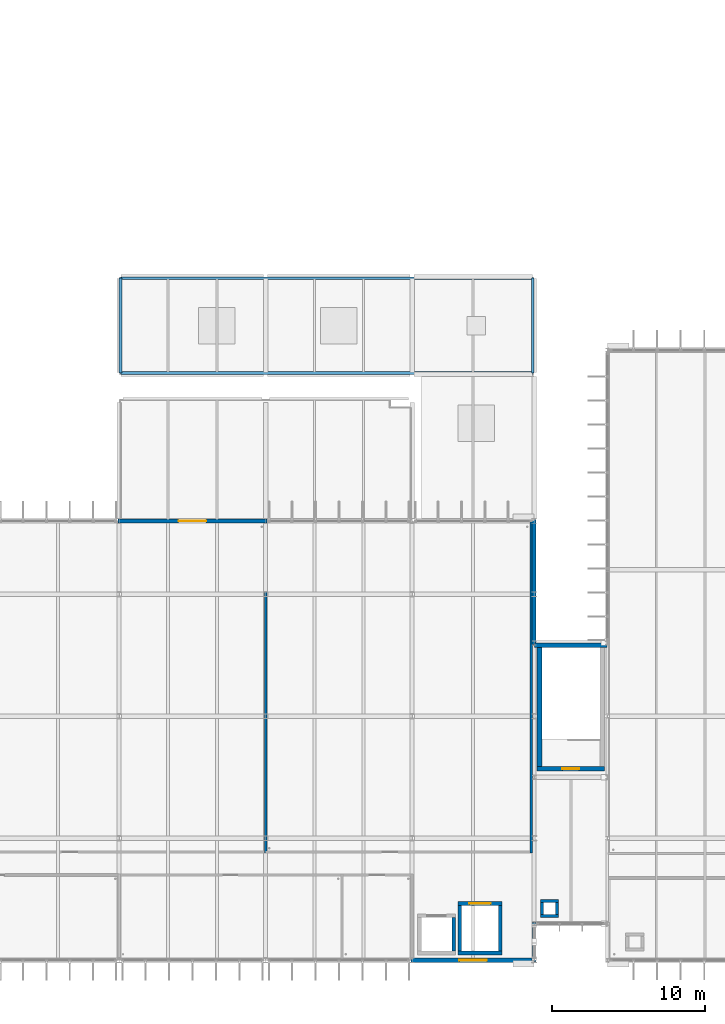
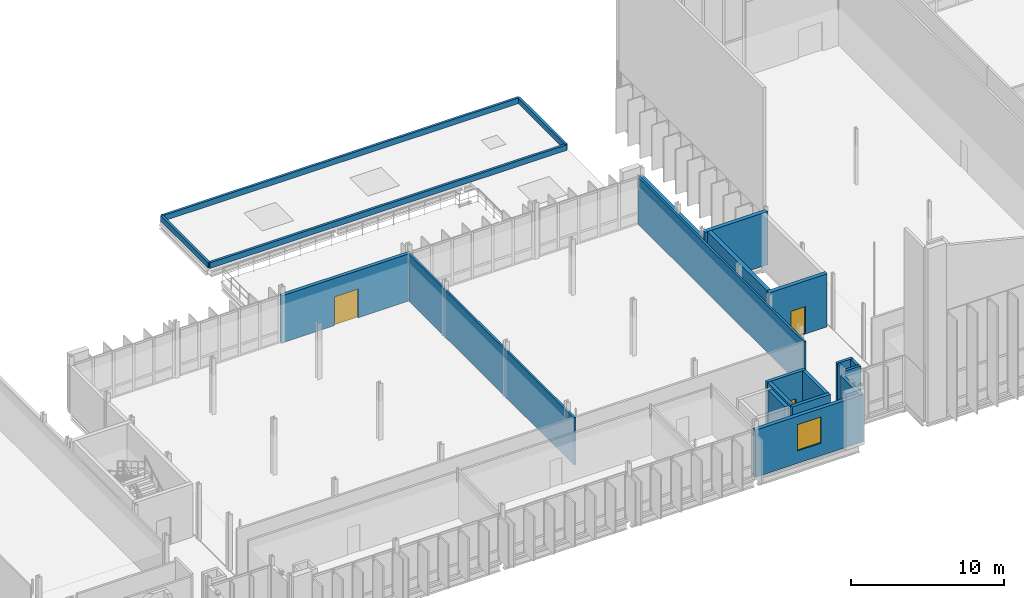
# One storey, part 65 of 110: 22 walls, 3 doors, 1 window, 4 openings.
"""IFC4 building model written with IfcOpenShell, lengths in metres."""

from ifc_helpers import new_model, si_unit, direction, frame, frame_2d, origin, place, context, subcontext, project, spatial, rectangle, extrude, material, layer, layer_set, type_object, element, fill, save


model = new_model("IFC4")

# Units and contexts
model_context = context("Model", 3, precision=1e-05, world=origin(), true_north=direction((0.0, 1.0)))
body_context = subcontext(model_context, "Body", "Model", "MODEL_VIEW")
ifc_project = project(units=[si_unit("LENGTHUNIT", "METRE"), si_unit("AREAUNIT", "SQUARE_METRE"), si_unit("VOLUMEUNIT", "CUBIC_METRE"), si_unit("PLANEANGLEUNIT", "RADIAN"), si_unit("MASSUNIT", "GRAM", prefix="KILO")], contexts=[model_context])

# Site, building, storey
site_placement = place(None, origin())
site = spatial("IfcSite", under=ifc_project, at=site_placement, CompositionType="ELEMENT")
building_placement = place(site_placement, origin())
building = spatial("IfcBuilding", under=site, at=building_placement, Name="Dunescarp Central Library", CompositionType="ELEMENT")
storey_placement = place(building_placement, frame((0.0, 0.0, 9.60009765625)))
storey = spatial("IfcBuildingStorey", under=building, at=storey_placement, Name="L02", CompositionType="ELEMENT", Elevation=9.60009765625)

# Walls
ifc_material_1 = material(Name="Gypsum plasterboard acoustic partition")
ifc_layer_1 = layer(ifc_material_1, 0.14990234375)
ifc_layer_set_1 = layer_set([ifc_layer_1], Name="Gypsum plasterboard acoustic partition")
wall_type_1 = type_object("IfcWallType", Name="ARC-PT-AC150", PredefinedType="PARTITIONING", material=ifc_layer_set_1)
for number, where, z_axis, x_axis, name in (
    (1, (107.199951171875, 11.824951171875, 0.0), (0.0, 0.0, 1.0), (0.0, 1.0, 0.0), "L02 partition PT-L02-0287"),
    (2, (124.60009765625, 11.824951171875, 0.0), (0.0, 0.0, 1.0), (0.0, 1.0, 0.0), "L02 partition PT-L02-0289"),
):
    element("IfcWall", number, at=place(storey_placement, frame(where, z_axis=z_axis, x_axis=x_axis)), inside=storey, type_object=wall_type_1, Name=name, PredefinedType="PARTITIONING", context=body_context, shape_type="SweptSolid", body=[
        extrude(rectangle(XDim=21.735107421875, YDim=0.14990234375, at=frame_2d((10.86767578125, 0.0))), origin(), (0.0, 0.0, 1.0), 3.77490234375),
    ])

# Wall, opening, door
ifc_material_2 = material(Name="Glass-fibre reinforced concrete GRC", Category="concrete")
ifc_layer_2 = layer(ifc_material_2, 0.260009765625)
ifc_layer_set_2 = layer_set([ifc_layer_2], Name="Glass-fibre reinforced concrete GRC")
wall_type_2 = type_object("IfcWallType", Name="ARC-WL-GRC260", PredefinedType="SOLIDWALL", material=ifc_layer_set_2)
wall_1_placement = place(storey_placement, frame((97.514892578125, 33.60009765625, 0.0), z_axis=(0.0, 0.0, 1.0), x_axis=(1.0, 0.0, 0.0)))
wall_1 = element("IfcWall", 3, at=wall_1_placement, inside=storey, type_object=wall_type_2, Name="L02 external wall EW-V3-077", PredefinedType="SOLIDWALL", context=body_context, shape_type="SweptSolid", body=[
    extrude(rectangle(XDim=9.77001953125, YDim=0.260009765625, at=frame_2d((4.885009765625, 0.0))), origin(), (0.0, 0.0, 1.0), 3.77490234375),
])
opening_1_placement = place(wall_1_placement, frame((3.985107421875, 0.0, 0.0)))
opening_1 = element("IfcOpeningElement", 4, at=opening_1_placement, cuts=wall_1, Name="Opening TD-L02-V3D", PredefinedType="OPENING", context=body_context, shape_type="SweptSolid", body=[
    extrude(rectangle(XDim=1.800048828125, YDim=2.300048828125, at=frame_2d((0.89990234375, 1.14990234375))), frame((0.0, 0.14013671875, 0.0), z_axis=(0.0, -1.0, 0.0), x_axis=(1.0, 0.0, 0.0)), (0.0, 0.0, 1.0), 0.280029296875),
])
ifc_material_3 = material(Name="Marine-grade anodised aluminium 6063-T6", Category="aluminium")
door_type_1 = type_object("IfcDoorType", Name="ARC-DR-TER1800", OperationType="NOTDEFINED", PredefinedType="DOOR", material=ifc_material_3)
door_1_placement = place(opening_1_placement, origin())
door_1 = element("IfcDoor", 5, at=door_1_placement, inside=storey, type_object=door_type_1, Name="L02 external door TD-L02-V3D", OperationType="SINGLE_SWING_RIGHT", OverallHeight=2.300048828125, OverallWidth=1.800048828125, PredefinedType="DOOR", context=body_context, shape_type="SweptSolid", body=[
    extrude(rectangle(XDim=1.800048828125, YDim=2.300048828125, at=frame_2d((0.89990234375, 1.14990234375))), frame((0.0, 0.02490234375, 0.0), z_axis=(0.0, -1.0, 0.0), x_axis=(1.0, 0.0, 0.0)), (0.0, 0.0, 1.0), 0.050048828125),
])
fill(opening_1, door_1)

# Walls
wall_2_placement = place(storey_placement, frame((124.800048828125, 7.284912109375, 0.0), z_axis=(0.0, 0.0, 1.0), x_axis=(0.0, -1.0, 0.0)))
element("IfcWall", 6, at=wall_2_placement, inside=storey, type_object=wall_type_2, Name="L02 external wall EW-V3-080", PredefinedType="SOLIDWALL", context=body_context, shape_type="SweptSolid", body=[
    extrude(rectangle(XDim=2.56982421875, YDim=0.260009765625, at=frame_2d((1.284912109375, 0.0))), origin(), (0.0, 0.0, 1.0), 3.77490234375),
])
wall_3_placement = place(storey_placement, frame((124.800048828125, 33.68505859375, 0.0), z_axis=(0.0, 0.0, 1.0), x_axis=(0.0, -1.0, 0.0)))
element("IfcWall", 7, at=wall_3_placement, inside=storey, type_object=wall_type_2, Name="L02 external wall EW-V3-081", PredefinedType="SOLIDWALL", context=body_context, shape_type="SweptSolid", body=[
    extrude(rectangle(XDim=8.170166015625, YDim=0.260009765625, at=frame_2d((4.0849609375, 0.0))), origin(), (0.0, 0.0, 1.0), 3.77490234375),
])

# Wall, opening, window
ifc_layer_3 = layer(ifc_material_2, 0.280029296875)
ifc_layer_set_3 = layer_set([ifc_layer_3], Name="Glass-fibre reinforced concrete GRC")
wall_type_3 = type_object("IfcWallType", Name="ARC-WL-GRC280", PredefinedType="SOLIDWALL", material=ifc_layer_set_3)
wall_4_placement = place(storey_placement, frame((124.885009765625, 4.800048828125, 0.0), z_axis=(0.0, 0.0, 1.0), x_axis=(-1.0, 0.0, 0.0)))
wall_4 = element("IfcWall", 8, at=wall_4_placement, inside=storey, type_object=wall_type_3, Name="L02 external wall EW-V3-076", PredefinedType="SOLIDWALL", context=body_context, shape_type="SweptSolid", body=[
    extrude(rectangle(XDim=8.169921875, YDim=0.280029296875, at=frame_2d((4.0849609375, 0.0))), origin(), (0.0, 0.0, 1.0), 3.77490234375),
])
opening_2_placement = place(wall_4_placement, frame((3.18505859375, 0.0, 1.0)))
opening_2 = element("IfcOpeningElement", 9, at=opening_2_placement, cuts=wall_4, Name="Opening WN-016", PredefinedType="OPENING", context=body_context, shape_type="SweptSolid", body=[
    extrude(rectangle(XDim=1.800048828125, YDim=2.10009765625, at=frame_2d((0.89990234375, 1.050048828125))), frame((0.0, 0.14990234375, 0.0), z_axis=(0.0, -1.0, 0.0), x_axis=(1.0, 0.0, 0.0)), (0.0, 0.0, 1.0), 0.300048828125),
])
ifc_material_4 = material(Name="Solar-control laminated double glazing", Category="glass")
window_type = type_object("IfcWindowType", Name="ARC-WN-1800X2100", PartitioningType="SINGLE_PANEL", PredefinedType="WINDOW", material=ifc_material_4)
window_placement = place(opening_2_placement, origin())
window = element("IfcWindow", 10, at=window_placement, inside=storey, type_object=window_type, Name="L02 window WN-016", OverallHeight=2.10009765625, OverallWidth=1.800048828125, PartitioningType="SINGLE_PANEL", PredefinedType="WINDOW", context=body_context, shape_type="SweptSolid", body=[
    extrude(rectangle(XDim=1.800048828125, YDim=2.10009765625, at=frame_2d((0.89990234375, 1.050048828125))), frame((0.0, 0.030029296875, 0.0), z_axis=(0.0, -1.0, 0.0), x_axis=(1.0, 0.0, 0.0)), (0.0, 0.0, 1.0), 0.06005859375),
])
fill(opening_2, window)

# Walls
ifc_material_5 = material(Name="Concrete C35/45", Category="concrete")
ifc_layer_4 = layer(ifc_material_5, 0.179931640625)
ifc_layer_set_4 = layer_set([ifc_layer_4], Name="Concrete C35/45")
wall_type_4 = type_object("IfcWallType", Name="ARC-WL-PAR180", PredefinedType="PARAPET", material=ifc_layer_set_4)
for number, where, z_axis, x_axis, name in (
    (11, (124.7099609375, 43.2900390625, 0.0), (0.0, 0.0, 1.0), (-1.0, 0.0, 0.0), "L02 maintenance roof parapet PAR-L02-013"),
    (12, (97.68994140625, 49.510009765625, 0.0), (0.0, 0.0, 1.0), (1.0, 0.0, 0.0), "L02 maintenance roof parapet PAR-L02-014"),
):
    element("IfcWall", number, at=place(storey_placement, frame(where, z_axis=z_axis, x_axis=x_axis)), inside=storey, type_object=wall_type_4, Name=name, PredefinedType="PARAPET", context=body_context, shape_type="SweptSolid", body=[
        extrude(rectangle(XDim=27.02001953125, YDim=0.179931640625, at=frame_2d((13.510009765625, 0.0))), origin(), (0.0, 0.0, 1.0), 0.449951171875),
    ])
for number, where, z_axis, x_axis, name in (
    (13, (97.68994140625, 43.2900390625, 0.0), (0.0, 0.0, 1.0), (0.0, 1.0, 0.0), "L02 maintenance roof parapet PAR-L02-015"),
    (14, (124.7099609375, 49.510009765625, 0.0), (0.0, 0.0, 1.0), (0.0, -1.0, 0.0), "L02 maintenance roof parapet PAR-L02-016"),
):
    element("IfcWall", number, at=place(storey_placement, frame(where, z_axis=z_axis, x_axis=x_axis)), inside=storey, type_object=wall_type_4, Name=name, PredefinedType="PARAPET", context=body_context, shape_type="SweptSolid", body=[
        extrude(rectangle(XDim=6.219970703125, YDim=0.179931640625, at=frame_2d((3.10986328125, 0.0))), origin(), (0.0, 0.0, 1.0), 0.449951171875),
    ])
ifc_layer_5 = layer(ifc_material_5, 0.199951171875)
ifc_layer_set_5 = layer_set([ifc_layer_5], Name="Concrete C35/45")
wall_type_5 = type_object("IfcWallType", Name="ARC-WL-RISER200", PredefinedType="PARTITIONING", material=ifc_layer_set_5)
for number, where, z_axis, x_axis, name in (
    (15, (126.39990234375, 7.699951171875, 0.0), (0.0, 0.0, 1.0), (-1.0, 0.0, 0.0), "L02 GL3 duct shaft wall S"),
    (16, (125.199951171875, 8.699951171875, 0.0), (0.0, 0.0, 1.0), (1.0, 0.0, 0.0), "L02 GL3 duct shaft wall N"),
):
    element("IfcWall", number, at=place(storey_placement, frame(where, z_axis=z_axis, x_axis=x_axis)), inside=storey, type_object=wall_type_5, Name=name, PredefinedType="PARTITIONING", context=body_context, shape_type="SweptSolid", body=[
        extrude(rectangle(XDim=1.199951171875, YDim=0.199951171875, at=frame_2d((0.60009765625, 0.0))), origin(), (0.0, 0.0, 1.0), 3.7548828125),
    ])
for number, where, z_axis, x_axis, name in (
    (17, (125.300048828125, 7.820068359375, 0.0), (0.0, 0.0, 1.0), (0.0, 1.0, 0.0), "L02 GL3 duct shaft wall W"),
    (18, (126.300048828125, 8.580078125, 0.0), (0.0, 0.0, 1.0), (0.0, -1.0, 0.0), "L02 GL3 duct shaft wall E"),
):
    element("IfcWall", number, at=place(storey_placement, frame(where, z_axis=z_axis, x_axis=x_axis)), inside=storey, type_object=wall_type_5, Name=name, PredefinedType="PARTITIONING", context=body_context, shape_type="SweptSolid", body=[
        extrude(rectangle(XDim=0.760009765625, YDim=0.199951171875, at=frame_2d((0.3798828125, 0.0))), origin(), (0.0, 0.0, 1.0), 3.7548828125),
    ])
ifc_material_6 = material(Name="Concrete C40/50", Category="concrete")
ifc_layer_6 = layer(ifc_material_6, 0.25)
ifc_layer_set_6 = layer_set([ifc_layer_6], Name="Concrete C40/50")
wall_type_6 = type_object("IfcWallType", Name="STR-WL-CORE250", PredefinedType="SHEAR", material=ifc_layer_set_6)
wall_5_placement = place(storey_placement, frame((119.52490234375, 7.60009765625, 0.0), z_axis=(0.0, 0.0, 1.0), x_axis=(0.0, -1.0, 0.0)))
element("IfcWall", 19, at=wall_5_placement, inside=storey, type_object=wall_type_6, Name="L02 PL-3 lift shaft wall E", PredefinedType="SHEAR", context=body_context, shape_type="SweptSolid", body=[
    extrude(rectangle(XDim=2.2001953125, YDim=0.25, at=frame_2d((1.10009765625, 0.0))), origin(), (0.0, 0.0, 1.0), 4.260009765625),
])
wall_6_placement = place(storey_placement, frame((122.699951171875, 5.27490234375, 0.0), z_axis=(0.0, 0.0, 1.0), x_axis=(-1.0, 0.0, 0.0)))
element("IfcWall", 20, at=wall_6_placement, inside=storey, type_object=wall_type_6, Name="L02 BL-1 lift shaft wall S", PredefinedType="SHEAR", context=body_context, shape_type="SweptSolid", body=[
    extrude(rectangle(XDim=2.89990234375, YDim=0.25, at=frame_2d((1.449951171875, 0.0))), origin(), (0.0, 0.0, 1.0), 4.260009765625),
])

# Wall, opening, door
wall_7_placement = place(storey_placement, frame((119.800048828125, 8.52490234375, 0.0), z_axis=(0.0, 0.0, 1.0), x_axis=(1.0, 0.0, 0.0)))
wall_7 = element("IfcWall", 21, at=wall_7_placement, inside=storey, type_object=wall_type_6, Name="L02 BL-1 lift shaft wall N", PredefinedType="SHEAR", context=body_context, shape_type="SweptSolid", body=[
    extrude(rectangle(XDim=2.89990234375, YDim=0.25, at=frame_2d((1.449951171875, 0.0))), origin(), (0.0, 0.0, 1.0), 4.260009765625),
])
opening_3_placement = place(wall_7_placement, frame((0.75, 0.0, 0.0)))
opening_3 = element("IfcOpeningElement", 22, at=opening_3_placement, cuts=wall_7, Name="Opening LD-BL-1-L02", PredefinedType="OPENING", context=body_context, shape_type="SweptSolid", body=[
    extrude(rectangle(XDim=1.39990234375, YDim=2.199951171875, at=frame_2d((0.699951171875, 1.10009765625))), frame((0.0, 0.135009765625, 0.0), z_axis=(0.0, -1.0, 0.0), x_axis=(1.0, 0.0, 0.0)), (0.0, 0.0, 1.0), 0.27001953125),
])
ifc_material_7 = material(Name="Stainless steel Grade 316L", Category="steel")
door_type_2 = type_object("IfcDoorType", Name="ARC-DR-LD1400", OperationType="DOUBLE_DOOR_SLIDING", PredefinedType="DOOR", material=ifc_material_7)
door_2_placement = place(opening_3_placement, origin())
door_2 = element("IfcDoor", 23, at=door_2_placement, inside=storey, type_object=door_type_2, Name="L02 BL-1 lift landing door", OperationType="DOUBLE_DOOR_SLIDING", OverallHeight=2.199951171875, OverallWidth=1.39990234375, PredefinedType="DOOR", context=body_context, shape_type="SweptSolid", body=[
    extrude(rectangle(XDim=1.39990234375, YDim=2.199951171875, at=frame_2d((0.699951171875, 1.10009765625))), frame((0.0, 0.02490234375, 0.0), z_axis=(0.0, -1.0, 0.0), x_axis=(1.0, 0.0, 0.0)), (0.0, 0.0, 1.0), 0.050048828125),
])
fill(opening_3, door_2)

# Walls
for number, where, z_axis, x_axis, name in (
    (24, (119.925048828125, 5.39990234375, 0.0), (0.0, 0.0, 1.0), (0.0, 1.0, 0.0), "L02 BL-1 lift shaft wall W"),
    (25, (122.574951171875, 8.39990234375, 0.0), (0.0, 0.0, 1.0), (0.0, -1.0, 0.0), "L02 BL-1 lift shaft wall E"),
):
    element("IfcWall", number, at=place(storey_placement, frame(where, z_axis=z_axis, x_axis=x_axis)), inside=storey, type_object=wall_type_6, Name=name, PredefinedType="SHEAR", context=body_context, shape_type="SweptSolid", body=[
        extrude(rectangle(XDim=3.0, YDim=0.25, at=frame_2d((1.5, 0.0))), origin(), (0.0, 0.0, 1.0), 4.260009765625),
    ])

# Wall, opening, door
ifc_layer_7 = layer(ifc_material_6, 0.300048828125)
ifc_layer_set_7 = layer_set([ifc_layer_7], Name="Concrete C40/50")
wall_type_7 = type_object("IfcWallType", Name="STR-WL-CORE300", PredefinedType="SHEAR", material=ifc_layer_set_7)
wall_8_placement = place(storey_placement, frame((129.39990234375, 17.35009765625, 0.0), z_axis=(0.0, 0.0, 1.0), x_axis=(-1.0, 0.0, 0.0)))
wall_8 = element("IfcWall", 26, at=wall_8_placement, inside=storey, type_object=wall_type_7, Name="L02 ST-5 south core wall", PredefinedType="SHEAR", context=body_context, shape_type="SweptSolid", body=[
    extrude(rectangle(XDim=4.39990234375, YDim=0.300048828125, at=frame_2d((2.199951171875, 0.0))), origin(), (0.0, 0.0, 1.0), 4.2548828125),
])
opening_4_placement = place(wall_8_placement, frame((1.64990234375, 0.0, 0.0)))
opening_4 = element("IfcOpeningElement", 27, at=opening_4_placement, cuts=wall_8, Name="Opening D-ST-5-L02", PredefinedType="OPENING", context=body_context, shape_type="SweptSolid", body=[
    extrude(rectangle(XDim=1.10009765625, YDim=2.199951171875, at=frame_2d((0.550048828125, 1.10009765625))), frame((0.0, 0.16015625, 0.0), z_axis=(0.0, -1.0, 0.0), x_axis=(1.0, 0.0, 0.0)), (0.0, 0.0, 1.0), 0.320068359375),
])
ifc_material_8 = material(Name="Galvanised steel FD120S", Category="steel")
door_type_3 = type_object("IfcDoorType", Name="ARC-DR-STAIR", OperationType="NOTDEFINED", PredefinedType="DOOR", material=ifc_material_8)
door_3_placement = place(opening_4_placement, origin())
door_3 = element("IfcDoor", 28, at=door_3_placement, inside=storey, type_object=door_type_3, Name="L02 ST-5 fire stair door", OperationType="SINGLE_SWING_RIGHT", OverallHeight=2.199951171875, OverallWidth=1.10009765625, PredefinedType="DOOR", context=body_context, shape_type="SweptSolid", body=[
    extrude(rectangle(XDim=1.10009765625, YDim=2.199951171875, at=frame_2d((0.550048828125, 1.10009765625))), frame((0.0, 0.02490234375, 0.0), z_axis=(0.0, -1.0, 0.0), x_axis=(1.0, 0.0, 0.0)), (0.0, 0.0, 1.0), 0.050048828125),
])
fill(opening_4, door_3)

# Walls
wall_9_placement = place(storey_placement, frame((124.820068359375, 25.449951171875, 0.0), z_axis=(0.0, 0.0, 1.0), x_axis=(1.0, 0.0, 0.0)))
element("IfcWall", 29, at=wall_9_placement, inside=storey, type_object=wall_type_7, Name="L02 ST-5 north core wall", PredefinedType="SHEAR", context=body_context, shape_type="SweptSolid", body=[
    extrude(rectangle(XDim=4.760009765625, YDim=0.300048828125, at=frame_2d((2.3798828125, 0.0))), origin(), (0.0, 0.0, 1.0), 4.2548828125),
])
wall_10_placement = place(storey_placement, frame((125.14990234375, 17.5, 0.0), z_axis=(0.0, 0.0, 1.0), x_axis=(0.0, 1.0, 0.0)))
element("IfcWall", 30, at=wall_10_placement, inside=storey, type_object=wall_type_7, Name="L02 ST-5 west core wall", PredefinedType="SHEAR", context=body_context, shape_type="SweptSolid", body=[
    extrude(rectangle(XDim=7.800048828125, YDim=0.300048828125, at=frame_2d((3.89990234375, 0.0))), origin(), (0.0, 0.0, 1.0), 4.2548828125),
])

save(model, "model.ifc")
